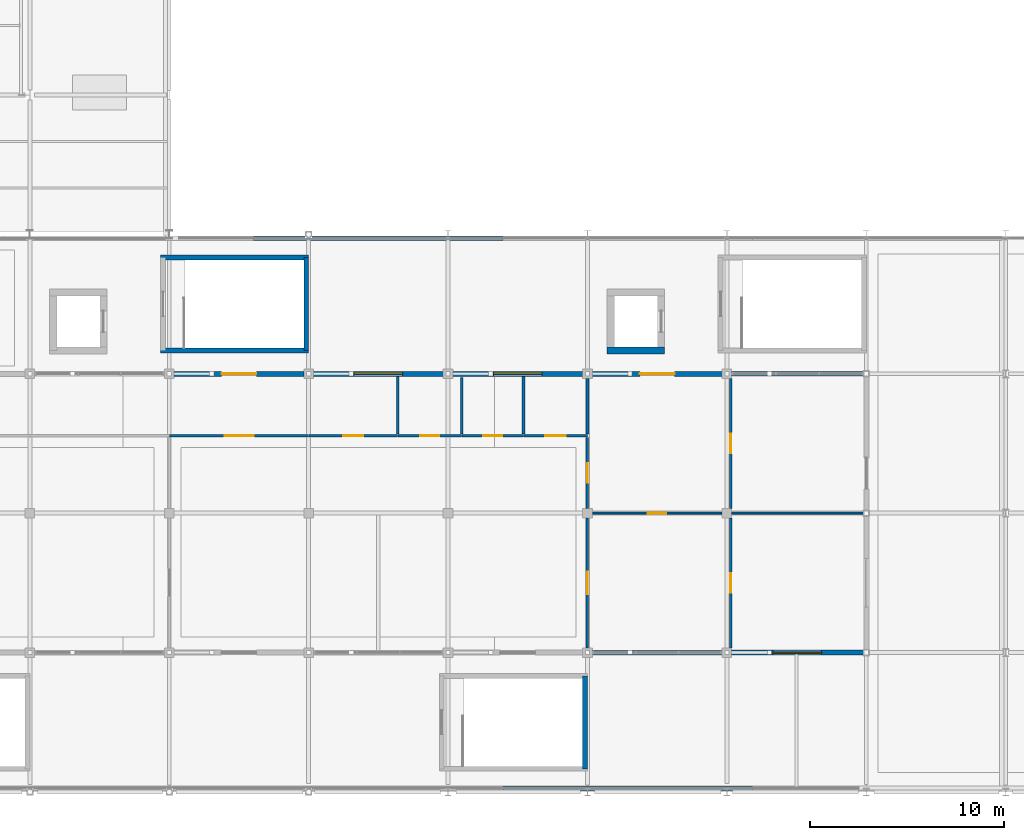
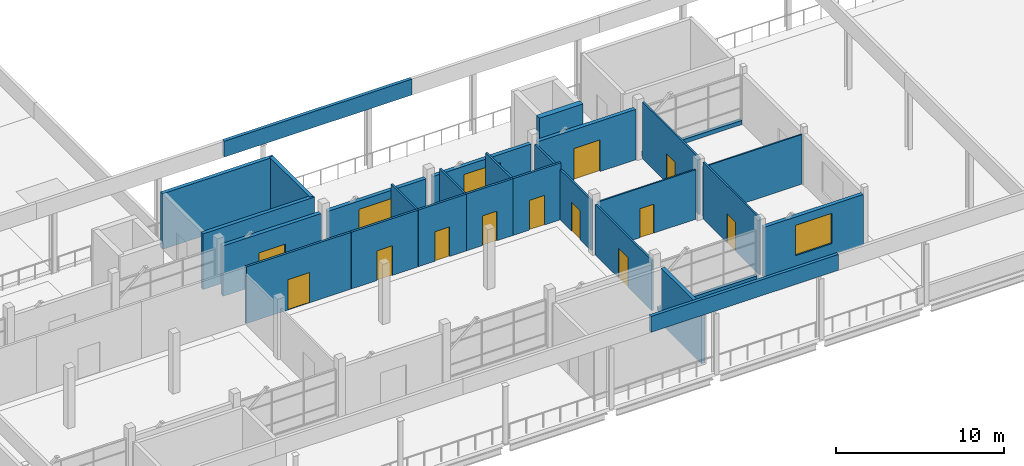
# One storey, part 24 of 32: 29 walls, 12 doors, 3 windows, 15 openings.
"""IFC4 building model written with IfcOpenShell, lengths in metres."""

from ifc_helpers import new_model, si_unit, direction, frame, frame_2d, origin, place, context, subcontext, project, spatial, rectangle, extrude, material, layer, layer_set, type_object, element, fill, save


model = new_model("IFC4")

# Units and contexts
model_context = context("Model", 3, precision=1e-05, world=origin(), true_north=direction((0.0, 1.0)))
body_context = subcontext(model_context, "Body", "Model", "MODEL_VIEW")
ifc_project = project(units=[si_unit("LENGTHUNIT", "METRE"), si_unit("AREAUNIT", "SQUARE_METRE"), si_unit("VOLUMEUNIT", "CUBIC_METRE"), si_unit("PLANEANGLEUNIT", "RADIAN"), si_unit("MASSUNIT", "GRAM", prefix="KILO")], contexts=[model_context])

# Site, building, storey
site_placement = place(None, origin())
site = spatial("IfcSite", under=ifc_project, at=site_placement, CompositionType="ELEMENT")
building_placement = place(site_placement, origin())
building = spatial("IfcBuilding", under=site, at=building_placement, Name="Sardonyx Promenade Sports Hall", CompositionType="ELEMENT")
storey_placement = place(building_placement, frame((0.0, 0.0, 20.39990234375)))
storey = spatial("IfcBuildingStorey", under=building, at=storey_placement, Name="L04", CompositionType="ELEMENT", Elevation=20.39990234375)

# Wall
ifc_material_1 = material(Name="Concrete C40/50", Category="concrete")
ifc_layer_1 = layer(ifc_material_1, 0.3798828125)
ifc_layer_set_1 = layer_set([ifc_layer_1], Name="Wall_Core_Shear_380")
wall_type_1 = type_object("IfcWallType", Name="Wall_Core_Shear_380", PredefinedType="SHEAR", material=ifc_layer_set_1)
wall_1_placement = place(storey_placement, frame((54.389892578125, 22.800048828125, 0.0), z_axis=(0.0, 0.0, 1.0), x_axis=(-1.0, 0.0, 0.0)))
element("IfcWall", 1, at=wall_1_placement, inside=storey, type_object=wall_type_1, Name="Lift shaft wall LF3 L04 S", PredefinedType="SHEAR", context=body_context, shape_type="SweptSolid", body=[
    extrude(rectangle(XDim=2.97998046875, YDim=0.3798828125, at=frame_2d((1.489990234375, 0.0))), origin(), (0.0, 0.0, 1.0), 4.400146484375),
])

# Wall, opening, door
ifc_material_2 = material(Name="Masonry CMU 15 MPa", Category="masonry")
ifc_layer_2 = layer(ifc_material_2, 0.260009765625)
ifc_layer_set_2 = layer_set([ifc_layer_2], Name="Wall_Ext_Pavilion_260")
wall_type_2 = type_object("IfcWallType", Name="Wall_Ext_Pavilion_260", PredefinedType="SOLIDWALL", material=ifc_layer_set_2)
wall_2_placement = place(storey_placement, frame((29.034912109375, 21.60009765625, 0.0), z_axis=(0.0, 0.0, 1.0), x_axis=(1.0, 0.0, 0.0)))
wall_2 = element("IfcWall", 2, at=wall_2_placement, inside=storey, type_object=wall_type_2, Name="Exterior wall EW03 L04 #268", PredefinedType="SOLIDWALL", context=body_context, shape_type="SweptSolid", body=[
    extrude(rectangle(XDim=6.72998046875, YDim=0.260009765625, at=frame_2d((3.364990234375, 0.0))), origin(), (0.0, 0.0, 1.0), 3.655029296875),
])
opening_1_placement = place(wall_2_placement, frame((2.465087890625, 0.0, 0.0)))
opening_1 = element("IfcOpeningElement", 3, at=opening_1_placement, cuts=wall_2, Name="Opening ED01", PredefinedType="OPENING", context=body_context, shape_type="SweptSolid", body=[
    extrude(rectangle(XDim=1.800048828125, YDim=2.300048828125, at=frame_2d((0.89990234375, 1.14990234375))), frame((0.0, 0.14, 0.0), z_axis=(0.0, -1.0, 0.0), x_axis=(1.0, 0.0, 0.0)), (0.0, 0.0, 1.0), 0.28),
])
ifc_material_3 = material(Name="Thermally broken anodised aluminium glazed door", Category="aluminium")
door_type_1 = type_object("IfcDoorType", Name="Door_Ext_Track_180x230", OperationType="NOTDEFINED", PredefinedType="DOOR", material=ifc_material_3)
door_1_placement = place(opening_1_placement, origin())
door_1 = element("IfcDoor", 4, at=door_1_placement, inside=storey, type_object=door_type_1, Name="Exterior exit door TD01", OperationType="DOUBLE_DOOR_SINGLE_SWING", OverallHeight=2.300048828125, OverallWidth=1.800048828125, PredefinedType="DOOR", context=body_context, shape_type="SweptSolid", body=[
    extrude(rectangle(XDim=1.800048828125, YDim=2.300048828125, at=frame_2d((0.89990234375, 1.14990234375))), frame((0.0, 0.02490234375, 0.0), z_axis=(0.0, -1.0, 0.0), x_axis=(1.0, 0.0, 0.0)), (0.0, 0.0, 1.0), 0.050048828125),
])
fill(opening_1, door_1)

# Wall, opening, window
wall_3_placement = place(storey_placement, frame((36.235107421875, 21.60009765625, 0.0), z_axis=(0.0, 0.0, 1.0), x_axis=(1.0, 0.0, 0.0)))
wall_3 = element("IfcWall", 5, at=wall_3_placement, inside=storey, type_object=wall_type_2, Name="Exterior wall EW03 L04 #269", PredefinedType="SOLIDWALL", context=body_context, shape_type="SweptSolid", body=[
    extrude(rectangle(XDim=6.72998046875, YDim=0.260009765625, at=frame_2d((3.364990234375, 0.0))), origin(), (0.0, 0.0, 1.0), 3.655029296875),
])
opening_2_placement = place(wall_3_placement, frame((2.114990234375, 0.0, 0.85009765625)))
opening_2 = element("IfcOpeningElement", 6, at=opening_2_placement, cuts=wall_3, Name="Opening W04", PredefinedType="OPENING", context=body_context, shape_type="SweptSolid", body=[
    extrude(rectangle(XDim=2.5, YDim=2.199951171875, at=frame_2d((1.25, 1.10009765625))), frame((0.0, 0.14, 0.0), z_axis=(0.0, -1.0, 0.0), x_axis=(1.0, 0.0, 0.0)), (0.0, 0.0, 1.0), 0.28),
])
ifc_material_4 = material(Name="Double-glazed solar low-E aluminium window", Category="aluminium")
window_type = type_object("IfcWindowType", Name="Win_Pavilion_250x220", PartitioningType="DOUBLE_PANEL_VERTICAL", PredefinedType="WINDOW", material=ifc_material_4)
window_1_placement = place(opening_2_placement, origin())
window_1 = element("IfcWindow", 7, at=window_1_placement, inside=storey, type_object=window_type, Name="Facade window W04 L04 #104", OverallHeight=2.199951171875, OverallWidth=2.5, PartitioningType="SINGLE_PANEL", PredefinedType="WINDOW", context=body_context, shape_type="SweptSolid", body=[
    extrude(rectangle(XDim=2.5, YDim=2.199951171875, at=frame_2d((1.25, 1.10009765625))), frame((0.0, 0.030029296875, 0.0), z_axis=(0.0, -1.0, 0.0), x_axis=(1.0, 0.0, 0.0)), (0.0, 0.0, 1.0), 0.06005859375),
])
fill(opening_2, window_1)

wall_4_placement = place(storey_placement, frame((43.43505859375, 21.60009765625, 0.0), z_axis=(0.0, 0.0, 1.0), x_axis=(1.0, 0.0, 0.0)))
wall_4 = element("IfcWall", 8, at=wall_4_placement, inside=storey, type_object=wall_type_2, Name="Exterior wall EW03 L04 #270", PredefinedType="SOLIDWALL", context=body_context, shape_type="SweptSolid", body=[
    extrude(rectangle(XDim=6.72998046875, YDim=0.260009765625, at=frame_2d((3.364990234375, 0.0))), origin(), (0.0, 0.0, 1.0), 3.655029296875),
])
opening_3_placement = place(wall_4_placement, frame((2.114990234375, 0.0, 0.85009765625)))
opening_3 = element("IfcOpeningElement", 9, at=opening_3_placement, cuts=wall_4, Name="Opening W04", PredefinedType="OPENING", context=body_context, shape_type="SweptSolid", body=[
    extrude(rectangle(XDim=2.5, YDim=2.199951171875, at=frame_2d((1.25, 1.10009765625))), frame((0.0, 0.14, 0.0), z_axis=(0.0, -1.0, 0.0), x_axis=(1.0, 0.0, 0.0)), (0.0, 0.0, 1.0), 0.28),
])
window_2_placement = place(opening_3_placement, origin())
window_2 = element("IfcWindow", 10, at=window_2_placement, inside=storey, type_object=window_type, Name="Facade window W04 L04 #105", OverallHeight=2.199951171875, OverallWidth=2.5, PartitioningType="SINGLE_PANEL", PredefinedType="WINDOW", context=body_context, shape_type="SweptSolid", body=[
    extrude(rectangle(XDim=2.5, YDim=2.199951171875, at=frame_2d((1.25, 1.10009765625))), frame((0.0, 0.030029296875, 0.0), z_axis=(0.0, -1.0, 0.0), x_axis=(1.0, 0.0, 0.0)), (0.0, 0.0, 1.0), 0.06005859375),
])
fill(opening_3, window_2)

# Wall, opening, door
wall_5_placement = place(storey_placement, frame((50.635009765625, 21.60009765625, 0.0), z_axis=(0.0, 0.0, 1.0), x_axis=(1.0, 0.0, 0.0)))
wall_5 = element("IfcWall", 11, at=wall_5_placement, inside=storey, type_object=wall_type_2, Name="Exterior wall EW03 L04 #271", PredefinedType="SOLIDWALL", context=body_context, shape_type="SweptSolid", body=[
    extrude(rectangle(XDim=6.72998046875, YDim=0.260009765625, at=frame_2d((3.364990234375, 0.0))), origin(), (0.0, 0.0, 1.0), 3.655029296875),
])
opening_4_placement = place(wall_5_placement, frame((2.465087890625, 0.0, 0.0)))
opening_4 = element("IfcOpeningElement", 12, at=opening_4_placement, cuts=wall_5, Name="Opening ED01", PredefinedType="OPENING", context=body_context, shape_type="SweptSolid", body=[
    extrude(rectangle(XDim=1.800048828125, YDim=2.300048828125, at=frame_2d((0.89990234375, 1.14990234375))), frame((0.0, 0.14, 0.0), z_axis=(0.0, -1.0, 0.0), x_axis=(1.0, 0.0, 0.0)), (0.0, 0.0, 1.0), 0.28),
])
door_2_placement = place(opening_4_placement, origin())
door_2 = element("IfcDoor", 13, at=door_2_placement, inside=storey, type_object=door_type_1, Name="Exterior exit door TD10", OperationType="DOUBLE_DOOR_SINGLE_SWING", OverallHeight=2.300048828125, OverallWidth=1.800048828125, PredefinedType="DOOR", context=body_context, shape_type="SweptSolid", body=[
    extrude(rectangle(XDim=1.800048828125, YDim=2.300048828125, at=frame_2d((0.89990234375, 1.14990234375))), frame((0.0, 0.02490234375, 0.0), z_axis=(0.0, -1.0, 0.0), x_axis=(1.0, 0.0, 0.0)), (0.0, 0.0, 1.0), 0.050048828125),
])
fill(opening_4, door_2)

# Wall, opening, window
wall_6_placement = place(storey_placement, frame((64.651611328125, 7.199951171875, 0.0), z_axis=(0.0, 0.0, 1.0), x_axis=(-1.0, 0.0, 0.0)))
wall_6 = element("IfcWall", 14, at=wall_6_placement, inside=storey, type_object=wall_type_2, Name="Exterior wall EW03 L04 #273", PredefinedType="SOLIDWALL", context=body_context, shape_type="SweptSolid", body=[
    extrude(rectangle(XDim=6.816650390625, YDim=0.260009765625, at=frame_2d((3.408203125, 0.0))), origin(), (0.0, 0.0, 1.0), 3.655029296875),
])
opening_5_placement = place(wall_6_placement, frame((2.158203125, 0.0, 0.85009765625)))
opening_5 = element("IfcOpeningElement", 15, at=opening_5_placement, cuts=wall_6, Name="Opening W04", PredefinedType="OPENING", context=body_context, shape_type="SweptSolid", body=[
    extrude(rectangle(XDim=2.5, YDim=2.199951171875, at=frame_2d((1.25, 1.10009765625))), frame((0.0, 0.14, 0.0), z_axis=(0.0, -1.0, 0.0), x_axis=(1.0, 0.0, 0.0)), (0.0, 0.0, 1.0), 0.28),
])
window_3_placement = place(opening_5_placement, origin())
window_3 = element("IfcWindow", 16, at=window_3_placement, inside=storey, type_object=window_type, Name="Facade window W04 L04 #106", OverallHeight=2.199951171875, OverallWidth=2.5, PartitioningType="SINGLE_PANEL", PredefinedType="WINDOW", context=body_context, shape_type="SweptSolid", body=[
    extrude(rectangle(XDim=2.5, YDim=2.199951171875, at=frame_2d((1.25, 1.10009765625))), frame((0.0, 0.030029296875, 0.0), z_axis=(0.0, -1.0, 0.0), x_axis=(1.0, 0.0, 0.0)), (0.0, 0.0, 1.0), 0.06005859375),
])
fill(opening_5, window_3)

# Walls
ifc_material_5 = material(Name="Masonry CMU 15 MPa", Category="masonry")
ifc_layer_3 = layer(ifc_material_5, 0.239990234375)
ifc_layer_set_3 = layer_set([ifc_layer_3], Name="Wall_Ext_Spandrel_240")
wall_type_3 = type_object("IfcWallType", Name="Wall_Ext_Spandrel_240", PredefinedType="SOLIDWALL", material=ifc_layer_set_3)
wall_7_placement = place(storey_placement, frame((57.8349609375, 21.60009765625, 0.0), z_axis=(0.0, 0.0, 1.0), x_axis=(1.0, 0.0, 0.0)))
element("IfcWall", 17, at=wall_7_placement, inside=storey, type_object=wall_type_3, Name="Curtain-wall sill spandrel L04 #272", PredefinedType="SOLIDWALL", context=body_context, shape_type="SweptSolid", body=[
    extrude(rectangle(XDim=6.816650390625, YDim=0.239990234375, at=frame_2d((3.408203125, 0.0))), origin(), (0.0, 0.0, 1.0), 0.300048828125),
])
wall_8_placement = place(storey_placement, frame((57.364990234375, 7.199951171875, 0.0), z_axis=(0.0, 0.0, 1.0), x_axis=(-1.0, 0.0, 0.0)))
element("IfcWall", 18, at=wall_8_placement, inside=storey, type_object=wall_type_3, Name="Curtain-wall sill spandrel L04 #274", PredefinedType="SOLIDWALL", context=body_context, shape_type="SweptSolid", body=[
    extrude(rectangle(XDim=6.72998046875, YDim=0.239990234375, at=frame_2d((3.364990234375, 0.0))), origin(), (0.0, 0.0, 1.0), 0.300048828125),
])
ifc_material_6 = material(Name="Concrete C40/50", Category="concrete")
ifc_layer_4 = layer(ifc_material_6, 0.219970703125)
ifc_layer_set_4 = layer_set([ifc_layer_4], Name="Wall_Parapet_Roof_220")
wall_type_4 = type_object("IfcWallType", Name="Wall_Parapet_Roof_220", PredefinedType="PARAPET", material=ifc_layer_set_4)
wall_9_placement = place(storey_placement, frame((46.0400390625, 0.199951171875, 4.400146484375), z_axis=(0.0, 0.0, 1.0), x_axis=(1.0, 0.0, 0.0)))
element("IfcWall", 19, at=wall_9_placement, inside=storey, type_object=wall_type_4, Name="Roof parapet PP02 L04 #62", PredefinedType="PARAPET", context=body_context, shape_type="SweptSolid", body=[
    extrude(rectangle(XDim=12.8798828125, YDim=0.219970703125, at=frame_2d((6.43994140625, 0.0))), origin(), (0.0, 0.0, 1.0), 1.14990234375),
])
wall_10_placement = place(storey_placement, frame((46.0400390625, 28.60009765625, 4.400146484375), z_axis=(0.0, 0.0, 1.0), x_axis=(-1.0, 0.0, 0.0)))
element("IfcWall", 20, at=wall_10_placement, inside=storey, type_object=wall_type_4, Name="Roof parapet PP02 L04 #68", PredefinedType="PARAPET", context=body_context, shape_type="SweptSolid", body=[
    extrude(rectangle(XDim=12.880126953125, YDim=0.219970703125, at=frame_2d((6.43994140625, 0.0))), origin(), (0.0, 0.0, 1.0), 1.14990234375),
])

# Wall, opening, door
ifc_material_7 = material(Name="Hygienic clinical stud partition", Category="gypsum")
ifc_layer_5 = layer(ifc_material_7, 0.1201171875)
ifc_layer_set_5 = layer_set([ifc_layer_5], Name="Wall_Part_Clinic_120")
wall_type_5 = type_object("IfcWallType", Name="Wall_Part_Clinic_120", PredefinedType="PARTITIONING", material=ifc_layer_set_5)
wall_11_placement = place(storey_placement, frame((57.800048828125, 7.449951171875, 0.0), z_axis=(0.0, 0.0, 1.0), x_axis=(0.0, 1.0, 0.0)))
wall_11 = element("IfcWall", 21, at=wall_11_placement, inside=storey, type_object=wall_type_5, Name="Interior partition PW02 L04 #522", PredefinedType="PARTITIONING", context=body_context, shape_type="SweptSolid", body=[
    extrude(rectangle(XDim=6.699951171875, YDim=0.1201171875, at=frame_2d((3.35009765625, 0.0))), origin(), (0.0, 0.0, 1.0), 4.1201171875),
])
opening_6_placement = place(wall_11_placement, frame((2.85009765625, 0.0, 0.0)))
opening_6 = element("IfcOpeningElement", 22, at=opening_6_placement, cuts=wall_11, Name="Opening ID05", PredefinedType="OPENING", context=body_context, shape_type="SweptSolid", body=[
    extrude(rectangle(XDim=1.0, YDim=2.10009765625, at=frame_2d((0.5, 1.050048828125))), frame((0.0, 0.07, 0.0), z_axis=(0.0, -1.0, 0.0), x_axis=(1.0, 0.0, 0.0)), (0.0, 0.0, 1.0), 0.14),
])
ifc_material_8 = material(Name="Acoustic laminate clinic door", Category="wood")
door_type_2 = type_object("IfcDoorType", Name="Door_Suite_100x210", OperationType="NOTDEFINED", PredefinedType="DOOR", material=ifc_material_8)
door_3_placement = place(opening_6_placement, origin())
door_3 = element("IfcDoor", 23, at=door_3_placement, inside=storey, type_object=door_type_2, Name="Interior door D04-163", OperationType="SINGLE_SWING_LEFT", OverallHeight=2.10009765625, OverallWidth=1.0, PredefinedType="DOOR", context=body_context, shape_type="SweptSolid", body=[
    extrude(rectangle(XDim=1.0, YDim=2.10009765625, at=frame_2d((0.5, 1.050048828125))), frame((0.0, 0.02490234375, 0.0), z_axis=(0.0, -1.0, 0.0), x_axis=(1.0, 0.0, 0.0)), (0.0, 0.0, 1.0), 0.050048828125),
])
fill(opening_6, door_3)

wall_12_placement = place(storey_placement, frame((57.800048828125, 14.64990234375, 0.0), z_axis=(0.0, 0.0, 1.0), x_axis=(0.0, 1.0, 0.0)))
wall_12 = element("IfcWall", 24, at=wall_12_placement, inside=storey, type_object=wall_type_5, Name="Interior partition PW02 L04 #523", PredefinedType="PARTITIONING", context=body_context, shape_type="SweptSolid", body=[
    extrude(rectangle(XDim=6.7001953125, YDim=0.1201171875, at=frame_2d((3.35009765625, 0.0))), origin(), (0.0, 0.0, 1.0), 4.1201171875),
])
opening_7_placement = place(wall_12_placement, frame((2.85009765625, 0.0, 0.0)))
opening_7 = element("IfcOpeningElement", 25, at=opening_7_placement, cuts=wall_12, Name="Opening ID05", PredefinedType="OPENING", context=body_context, shape_type="SweptSolid", body=[
    extrude(rectangle(XDim=1.0, YDim=2.10009765625, at=frame_2d((0.5, 1.050048828125))), frame((0.0, 0.07, 0.0), z_axis=(0.0, -1.0, 0.0), x_axis=(1.0, 0.0, 0.0)), (0.0, 0.0, 1.0), 0.14),
])
door_4_placement = place(opening_7_placement, origin())
door_4 = element("IfcDoor", 26, at=door_4_placement, inside=storey, type_object=door_type_2, Name="Interior door D04-164", OperationType="SINGLE_SWING_RIGHT", OverallHeight=2.10009765625, OverallWidth=1.0, PredefinedType="DOOR", context=body_context, shape_type="SweptSolid", body=[
    extrude(rectangle(XDim=1.0, YDim=2.10009765625, at=frame_2d((0.5, 1.050048828125))), frame((0.0, 0.02490234375, 0.0), z_axis=(0.0, -1.0, 0.0), x_axis=(1.0, 0.0, 0.0)), (0.0, 0.0, 1.0), 0.050048828125),
])
fill(opening_7, door_4)

ifc_material_9 = material(Name="Fire-rated stud gypsum partition", Category="gypsum")
ifc_layer_6 = layer(ifc_material_9, 0.14990234375)
ifc_layer_set_6 = layer_set([ifc_layer_6], Name="Wall_Part_Corridor_150")
wall_type_6 = type_object("IfcWallType", Name="Wall_Part_Corridor_150", PredefinedType="PARTITIONING", material=ifc_layer_set_6)
wall_13_placement = place(storey_placement, frame((28.81005859375, 18.39990234375, 0.0), z_axis=(0.0, 0.0, 1.0), x_axis=(1.0, 0.0, 0.0)))
wall_13 = element("IfcWall", 27, at=wall_13_placement, inside=storey, type_object=wall_type_6, Name="Interior partition PW04 L04 #509", PredefinedType="PARTITIONING", context=body_context, shape_type="SweptSolid", body=[
    extrude(rectangle(XDim=7.18994140625, YDim=0.14990234375, at=frame_2d((3.594970703125, 0.0))), origin(), (0.0, 0.0, 1.0), 4.1201171875),
])
opening_8_placement = place(wall_13_placement, frame((2.844970703125, 0.0, 0.0)))
opening_8 = element("IfcOpeningElement", 28, at=opening_8_placement, cuts=wall_13, Name="Opening ID10", PredefinedType="OPENING", context=body_context, shape_type="SweptSolid", body=[
    extrude(rectangle(XDim=1.5, YDim=2.199951171875, at=frame_2d((0.75, 1.10009765625))), frame((0.0, 0.085, 0.0), z_axis=(0.0, -1.0, 0.0), x_axis=(1.0, 0.0, 0.0)), (0.0, 0.0, 1.0), 0.17),
])
ifc_material_10 = material(Name="Double studio entrance fire door FD30S", Category="wood")
door_type_3 = type_object("IfcDoorType", Name="Door_Corr_FD30_150x220", OperationType="NOTDEFINED", PredefinedType="DOOR", material=ifc_material_10)
door_5_placement = place(opening_8_placement, origin())
door_5 = element("IfcDoor", 29, at=door_5_placement, inside=storey, type_object=door_type_3, Name="Interior door D04-155", OperationType="DOUBLE_DOOR_SINGLE_SWING", OverallHeight=2.199951171875, OverallWidth=1.5, PredefinedType="DOOR", context=body_context, shape_type="SweptSolid", body=[
    extrude(rectangle(XDim=1.5, YDim=2.199951171875, at=frame_2d((0.75, 1.10009765625))), frame((0.0, 0.02490234375, 0.0), z_axis=(0.0, -1.0, 0.0), x_axis=(1.0, 0.0, 0.0)), (0.0, 0.0, 1.0), 0.050048828125),
])
fill(opening_8, door_5)

wall_14_placement = place(storey_placement, frame((36.010009765625, 18.39990234375, 0.0), z_axis=(0.0, 0.0, 1.0), x_axis=(1.0, 0.0, 0.0)))
wall_14 = element("IfcWall", 30, at=wall_14_placement, inside=storey, type_object=wall_type_6, Name="Interior partition PW04 L04 #510", PredefinedType="PARTITIONING", context=body_context, shape_type="SweptSolid", body=[
    extrude(rectangle(XDim=4.590087890625, YDim=0.14990234375, at=frame_2d((2.294921875, 0.0))), origin(), (0.0, 0.0, 1.0), 4.1201171875),
])
opening_9_placement = place(wall_14_placement, frame((1.77001953125, 0.0, 0.0)))
opening_9 = element("IfcOpeningElement", 31, at=opening_9_placement, cuts=wall_14, Name="Opening ID07", PredefinedType="OPENING", context=body_context, shape_type="SweptSolid", body=[
    extrude(rectangle(XDim=1.050048828125, YDim=2.14990234375, at=frame_2d((0.52490234375, 1.074951171875))), frame((0.0, 0.085, 0.0), z_axis=(0.0, -1.0, 0.0), x_axis=(1.0, 0.0, 0.0)), (0.0, 0.0, 1.0), 0.17),
])
ifc_material_11 = material(Name="Hardwood accessible fire door FD30S", Category="wood")
door_type_4 = type_object("IfcDoorType", Name="Door_Corr_FD30_105x215", OperationType="NOTDEFINED", PredefinedType="DOOR", material=ifc_material_11)
door_6_placement = place(opening_9_placement, origin())
door_6 = element("IfcDoor", 32, at=door_6_placement, inside=storey, type_object=door_type_4, Name="Interior door D04-156", OperationType="SINGLE_SWING_RIGHT", OverallHeight=2.14990234375, OverallWidth=1.050048828125, PredefinedType="DOOR", context=body_context, shape_type="SweptSolid", body=[
    extrude(rectangle(XDim=1.050048828125, YDim=2.14990234375, at=frame_2d((0.52490234375, 1.074951171875))), frame((0.0, 0.02490234375, 0.0), z_axis=(0.0, -1.0, 0.0), x_axis=(1.0, 0.0, 0.0)), (0.0, 0.0, 1.0), 0.050048828125),
])
fill(opening_9, door_6)

wall_15_placement = place(storey_placement, frame((40.610107421875, 18.39990234375, 0.0), z_axis=(0.0, 0.0, 1.0), x_axis=(1.0, 0.0, 0.0)))
wall_15 = element("IfcWall", 33, at=wall_15_placement, inside=storey, type_object=wall_type_6, Name="Interior partition PW04 L04 #511", PredefinedType="PARTITIONING", context=body_context, shape_type="SweptSolid", body=[
    extrude(rectangle(XDim=3.289794921875, YDim=0.14990234375, at=frame_2d((1.64501953125, 0.0))), origin(), (0.0, 0.0, 1.0), 4.1201171875),
])
opening_10_placement = place(wall_15_placement, frame((1.14501953125, 0.0, 0.0)))
opening_10 = element("IfcOpeningElement", 34, at=opening_10_placement, cuts=wall_15, Name="Opening ID14", PredefinedType="OPENING", context=body_context, shape_type="SweptSolid", body=[
    extrude(rectangle(XDim=1.0, YDim=2.14990234375, at=frame_2d((0.5, 1.074951171875))), frame((0.0, 0.085, 0.0), z_axis=(0.0, -1.0, 0.0), x_axis=(1.0, 0.0, 0.0)), (0.0, 0.0, 1.0), 0.17),
])
ifc_material_12 = material(Name="Hardwood corridor fire door FD30S", Category="wood")
door_type_5 = type_object("IfcDoorType", Name="Door_Corr_FD30_100x215", OperationType="NOTDEFINED", PredefinedType="DOOR", material=ifc_material_12)
door_7_placement = place(opening_10_placement, origin())
door_7 = element("IfcDoor", 35, at=door_7_placement, inside=storey, type_object=door_type_5, Name="Interior door D04-157", OperationType="SINGLE_SWING_LEFT", OverallHeight=2.14990234375, OverallWidth=1.0, PredefinedType="DOOR", context=body_context, shape_type="SweptSolid", body=[
    extrude(rectangle(XDim=1.0, YDim=2.14990234375, at=frame_2d((0.5, 1.074951171875))), frame((0.0, 0.02490234375, 0.0), z_axis=(0.0, -1.0, 0.0), x_axis=(1.0, 0.0, 0.0)), (0.0, 0.0, 1.0), 0.050048828125),
])
fill(opening_10, door_7)

wall_16_placement = place(storey_placement, frame((43.909912109375, 18.39990234375, 0.0), z_axis=(0.0, 0.0, 1.0), x_axis=(1.0, 0.0, 0.0)))
wall_16 = element("IfcWall", 36, at=wall_16_placement, inside=storey, type_object=wall_type_6, Name="Interior partition PW04 L04 #512", PredefinedType="PARTITIONING", context=body_context, shape_type="SweptSolid", body=[
    extrude(rectangle(XDim=3.190185546875, YDim=0.14990234375, at=frame_2d((1.59521484375, 0.0))), origin(), (0.0, 0.0, 1.0), 4.1201171875),
])
opening_11_placement = place(wall_16_placement, frame((1.094970703125, 0.0, 0.0)))
opening_11 = element("IfcOpeningElement", 37, at=opening_11_placement, cuts=wall_16, Name="Opening ID14", PredefinedType="OPENING", context=body_context, shape_type="SweptSolid", body=[
    extrude(rectangle(XDim=1.0, YDim=2.14990234375, at=frame_2d((0.5, 1.074951171875))), frame((0.0, 0.085, 0.0), z_axis=(0.0, -1.0, 0.0), x_axis=(1.0, 0.0, 0.0)), (0.0, 0.0, 1.0), 0.17),
])
door_8_placement = place(opening_11_placement, origin())
door_8 = element("IfcDoor", 38, at=door_8_placement, inside=storey, type_object=door_type_5, Name="Interior door D04-158", OperationType="SINGLE_SWING_RIGHT", OverallHeight=2.14990234375, OverallWidth=1.0, PredefinedType="DOOR", context=body_context, shape_type="SweptSolid", body=[
    extrude(rectangle(XDim=1.0, YDim=2.14990234375, at=frame_2d((0.5, 1.074951171875))), frame((0.0, 0.02490234375, 0.0), z_axis=(0.0, -1.0, 0.0), x_axis=(1.0, 0.0, 0.0)), (0.0, 0.0, 1.0), 0.050048828125),
])
fill(opening_11, door_8)

wall_17_placement = place(storey_placement, frame((47.110107421875, 18.39990234375, 0.0), z_axis=(0.0, 0.0, 1.0), x_axis=(1.0, 0.0, 0.0)))
wall_17 = element("IfcWall", 39, at=wall_17_placement, inside=storey, type_object=wall_type_6, Name="Interior partition PW04 L04 #513", PredefinedType="PARTITIONING", context=body_context, shape_type="SweptSolid", body=[
    extrude(rectangle(XDim=3.289794921875, YDim=0.14990234375, at=frame_2d((1.64501953125, 0.0))), origin(), (0.0, 0.0, 1.0), 4.1201171875),
])
opening_12_placement = place(wall_17_placement, frame((1.1201171875, 0.0, 0.0)))
opening_12 = element("IfcOpeningElement", 40, at=opening_12_placement, cuts=wall_17, Name="Opening ID07", PredefinedType="OPENING", context=body_context, shape_type="SweptSolid", body=[
    extrude(rectangle(XDim=1.050048828125, YDim=2.14990234375, at=frame_2d((0.52490234375, 1.074951171875))), frame((0.0, 0.085, 0.0), z_axis=(0.0, -1.0, 0.0), x_axis=(1.0, 0.0, 0.0)), (0.0, 0.0, 1.0), 0.17),
])
door_9_placement = place(opening_12_placement, origin())
door_9 = element("IfcDoor", 41, at=door_9_placement, inside=storey, type_object=door_type_4, Name="Interior door D04-159", OperationType="SINGLE_SWING_LEFT", OverallHeight=2.14990234375, OverallWidth=1.050048828125, PredefinedType="DOOR", context=body_context, shape_type="SweptSolid", body=[
    extrude(rectangle(XDim=1.050048828125, YDim=2.14990234375, at=frame_2d((0.52490234375, 1.074951171875))), frame((0.0, 0.02490234375, 0.0), z_axis=(0.0, -1.0, 0.0), x_axis=(1.0, 0.0, 0.0)), (0.0, 0.0, 1.0), 0.050048828125),
])
fill(opening_12, door_9)

ifc_material_13 = material(Name="Lightweight steel-stud partition", Category="steel")
ifc_layer_7 = layer(ifc_material_13, 0.10009765625)
ifc_layer_set_7 = layer_set([ifc_layer_7], Name="Wall_Part_Light_100")
wall_type_7 = type_object("IfcWallType", Name="Wall_Part_Light_100", PredefinedType="PARTITIONING", material=ifc_layer_set_7)
wall_18_placement = place(storey_placement, frame((50.64990234375, 14.39990234375, 0.0), z_axis=(0.0, 0.0, 1.0), x_axis=(1.0, 0.0, 0.0)))
wall_18 = element("IfcWall", 42, at=wall_18_placement, inside=storey, type_object=wall_type_7, Name="Interior partition PW01 L04 #524", PredefinedType="PARTITIONING", context=body_context, shape_type="SweptSolid", body=[
    extrude(rectangle(XDim=6.7001953125, YDim=0.10009765625, at=frame_2d((3.35009765625, 0.0))), origin(), (0.0, 0.0, 1.0), 3.60009765625),
])
opening_13_placement = place(wall_18_placement, frame((2.875, 0.0, 0.0)))
opening_13 = element("IfcOpeningElement", 43, at=opening_13_placement, cuts=wall_18, Name="Opening ID08", PredefinedType="OPENING", context=body_context, shape_type="SweptSolid", body=[
    extrude(rectangle(XDim=0.949951171875, YDim=2.10009765625, at=frame_2d((0.47509765625, 1.050048828125))), frame((0.0, 0.06, 0.0), z_axis=(0.0, -1.0, 0.0), x_axis=(1.0, 0.0, 0.0)), (0.0, 0.0, 1.0), 0.12),
])
ifc_material_14 = material(Name="Painted timber accessible suite door", Category="wood")
door_type_6 = type_object("IfcDoorType", Name="Door_Suite_095x210", OperationType="NOTDEFINED", PredefinedType="DOOR", material=ifc_material_14)
door_10_placement = place(opening_13_placement, origin())
door_10 = element("IfcDoor", 44, at=door_10_placement, inside=storey, type_object=door_type_6, Name="Interior door D04-165", OperationType="SINGLE_SWING_LEFT", OverallHeight=2.10009765625, OverallWidth=0.949951171875, PredefinedType="DOOR", context=body_context, shape_type="SweptSolid", body=[
    extrude(rectangle(XDim=0.949951171875, YDim=2.10009765625, at=frame_2d((0.47509765625, 1.050048828125))), frame((0.0, 0.02490234375, 0.0), z_axis=(0.0, -1.0, 0.0), x_axis=(1.0, 0.0, 0.0)), (0.0, 0.0, 1.0), 0.050048828125),
])
fill(opening_13, door_10)

# Wall
wall_19_placement = place(storey_placement, frame((57.85009765625, 14.39990234375, 0.0), z_axis=(0.0, 0.0, 1.0), x_axis=(1.0, 0.0, 0.0)))
element("IfcWall", 45, at=wall_19_placement, inside=storey, type_object=wall_type_7, Name="Interior partition PW01 L04 #525", PredefinedType="PARTITIONING", context=body_context, shape_type="SweptSolid", body=[
    extrude(rectangle(XDim=6.7998046875, YDim=0.10009765625, at=frame_2d((3.39990234375, 0.0))), origin(), (0.0, 0.0, 1.0), 3.60009765625),
])

# Wall, opening, door
ifc_material_15 = material(Name="Acoustic sports stud partition", Category="gypsum")
ifc_layer_8 = layer(ifc_material_15, 0.1298828125)
ifc_layer_set_8 = layer_set([ifc_layer_8], Name="Wall_Part_Studio_130")
wall_type_8 = type_object("IfcWallType", Name="Wall_Part_Studio_130", PredefinedType="PARTITIONING", material=ifc_layer_set_8)
wall_20_placement = place(storey_placement, frame((50.39990234375, 7.449951171875, 0.0), z_axis=(0.0, 0.0, 1.0), x_axis=(0.0, 1.0, 0.0)))
wall_20 = element("IfcWall", 46, at=wall_20_placement, inside=storey, type_object=wall_type_8, Name="Interior partition PW05 L04 #520", PredefinedType="PARTITIONING", context=body_context, shape_type="SweptSolid", body=[
    extrude(rectangle(XDim=6.699951171875, YDim=0.1298828125, at=frame_2d((3.35009765625, 0.0))), origin(), (0.0, 0.0, 1.0), 3.650146484375),
])
opening_14_placement = place(wall_20_placement, frame((2.77490234375, 0.0, 0.0)))
opening_14 = element("IfcOpeningElement", 47, at=opening_14_placement, cuts=wall_20, Name="Opening ID01", PredefinedType="OPENING", context=body_context, shape_type="SweptSolid", body=[
    extrude(rectangle(XDim=1.14990234375, YDim=2.14990234375, at=frame_2d((0.574951171875, 1.074951171875))), frame((0.0, 0.075, 0.0), z_axis=(0.0, -1.0, 0.0), x_axis=(1.0, 0.0, 0.0)), (0.0, 0.0, 1.0), 0.15),
])
ifc_material_16 = material(Name="Wide treatment couch door", Category="wood")
door_type_7 = type_object("IfcDoorType", Name="Door_Suite_115x215", OperationType="NOTDEFINED", PredefinedType="DOOR", material=ifc_material_16)
door_11_placement = place(opening_14_placement, origin())
door_11 = element("IfcDoor", 48, at=door_11_placement, inside=storey, type_object=door_type_7, Name="Interior door D04-161", OperationType="SINGLE_SWING_LEFT", OverallHeight=2.14990234375, OverallWidth=1.14990234375, PredefinedType="DOOR", context=body_context, shape_type="SweptSolid", body=[
    extrude(rectangle(XDim=1.14990234375, YDim=2.14990234375, at=frame_2d((0.574951171875, 1.074951171875))), frame((0.0, 0.02490234375, 0.0), z_axis=(0.0, -1.0, 0.0), x_axis=(1.0, 0.0, 0.0)), (0.0, 0.0, 1.0), 0.050048828125),
])
fill(opening_14, door_11)

wall_21_placement = place(storey_placement, frame((50.39990234375, 14.64990234375, 0.0), z_axis=(0.0, 0.0, 1.0), x_axis=(0.0, 1.0, 0.0)))
wall_21 = element("IfcWall", 49, at=wall_21_placement, inside=storey, type_object=wall_type_8, Name="Interior partition PW05 L04 #521", PredefinedType="PARTITIONING", context=body_context, shape_type="SweptSolid", body=[
    extrude(rectangle(XDim=3.6650390625, YDim=0.1298828125, at=frame_2d((1.83251953125, 0.0))), origin(), (0.0, 0.0, 1.0), 3.650146484375),
])
opening_15_placement = place(wall_21_placement, frame((1.33251953125, 0.0, 0.0)))
opening_15 = element("IfcOpeningElement", 50, at=opening_15_placement, cuts=wall_21, Name="Opening ID05", PredefinedType="OPENING", context=body_context, shape_type="SweptSolid", body=[
    extrude(rectangle(XDim=1.0, YDim=2.10009765625, at=frame_2d((0.5, 1.050048828125))), frame((0.0, 0.075, 0.0), z_axis=(0.0, -1.0, 0.0), x_axis=(1.0, 0.0, 0.0)), (0.0, 0.0, 1.0), 0.15),
])
door_12_placement = place(opening_15_placement, origin())
door_12 = element("IfcDoor", 51, at=door_12_placement, inside=storey, type_object=door_type_2, Name="Interior door D04-162", OperationType="SINGLE_SWING_RIGHT", OverallHeight=2.10009765625, OverallWidth=1.0, PredefinedType="DOOR", context=body_context, shape_type="SweptSolid", body=[
    extrude(rectangle(XDim=1.0, YDim=2.10009765625, at=frame_2d((0.5, 1.050048828125))), frame((0.0, 0.02490234375, 0.0), z_axis=(0.0, -1.0, 0.0), x_axis=(1.0, 0.0, 0.0)), (0.0, 0.0, 1.0), 0.050048828125),
])
fill(opening_15, door_12)

# Walls
ifc_material_17 = material(Name="Moisture-resistant masonry partition", Category="masonry")
ifc_layer_9 = layer(ifc_material_17, 0.139892578125)
ifc_layer_set_9 = layer_set([ifc_layer_9], Name="Wall_Part_Wet_140")
wall_type_9 = type_object("IfcWallType", Name="Wall_Part_Wet_140", PredefinedType="PARTITIONING", material=ifc_layer_set_9)
wall_22_placement = place(storey_placement, frame((40.60009765625, 18.485107421875, 0.0), z_axis=(0.0, 0.0, 1.0), x_axis=(0.0, 1.0, 0.0)))
element("IfcWall", 52, at=wall_22_placement, inside=storey, type_object=wall_type_9, Name="Interior partition PW08 L04 #514", PredefinedType="PARTITIONING", context=body_context, shape_type="SweptSolid", body=[
    extrude(rectangle(XDim=2.974853515625, YDim=0.139892578125, at=frame_2d((1.4873046875, 0.0))), origin(), (0.0, 0.0, 1.0), 4.1201171875),
])
wall_23_placement = place(storey_placement, frame((43.89990234375, 18.485107421875, 0.0), z_axis=(0.0, 0.0, 1.0), x_axis=(0.0, 1.0, 0.0)))
element("IfcWall", 53, at=wall_23_placement, inside=storey, type_object=wall_type_9, Name="Interior partition PW08 L04 #515", PredefinedType="PARTITIONING", context=body_context, shape_type="SweptSolid", body=[
    extrude(rectangle(XDim=2.914794921875, YDim=0.139892578125, at=frame_2d((1.45751953125, 0.0))), origin(), (0.0, 0.0, 1.0), 4.1201171875),
])
wall_24_placement = place(storey_placement, frame((47.10009765625, 18.485107421875, 0.0), z_axis=(0.0, 0.0, 1.0), x_axis=(0.0, 1.0, 0.0)))
element("IfcWall", 54, at=wall_24_placement, inside=storey, type_object=wall_type_9, Name="Interior partition PW08 L04 #516", PredefinedType="PARTITIONING", context=body_context, shape_type="SweptSolid", body=[
    extrude(rectangle(XDim=2.974853515625, YDim=0.139892578125, at=frame_2d((1.4873046875, 0.0))), origin(), (0.0, 0.0, 1.0), 4.1201171875),
])
wall_25_placement = place(storey_placement, frame((50.39990234375, 18.485107421875, 0.0), z_axis=(0.0, 0.0, 1.0), x_axis=(0.0, 1.0, 0.0)))
element("IfcWall", 55, at=wall_25_placement, inside=storey, type_object=wall_type_9, Name="Interior partition PW08 L04 #517", PredefinedType="PARTITIONING", context=body_context, shape_type="SweptSolid", body=[
    extrude(rectangle(XDim=2.864990234375, YDim=0.139892578125, at=frame_2d((1.4326171875, 0.0))), origin(), (0.0, 0.0, 1.0), 3.650146484375),
])
ifc_material_18 = material(Name="Concrete C40/50", Category="concrete")
ifc_layer_10 = layer(ifc_material_18, 0.25)
ifc_layer_set_10 = layer_set([ifc_layer_10], Name="Wall_Stair_Shear_250")
wall_type_10 = type_object("IfcWallType", Name="Wall_Stair_Shear_250", PredefinedType="SHEAR", material=ifc_layer_set_10)
wall_26_placement = place(storey_placement, frame((28.35009765625, 27.60009765625, 0.0), z_axis=(0.0, 0.0, 1.0), x_axis=(1.0, 0.0, 0.0)))
element("IfcWall", 56, at=wall_26_placement, inside=storey, type_object=wall_type_10, Name="Stair shaft wall ST1 L04 N", PredefinedType="SHEAR", context=body_context, shape_type="SweptSolid", body=[
    extrude(rectangle(XDim=7.64990234375, YDim=0.25, at=frame_2d((3.824951171875, 0.0))), origin(), (0.0, 0.0, 1.0), 4.0400390625),
])
wall_27_placement = place(storey_placement, frame((35.875, 27.60009765625, 0.0), z_axis=(0.0, 0.0, 1.0), x_axis=(0.0, -1.0, 0.0)))
element("IfcWall", 57, at=wall_27_placement, inside=storey, type_object=wall_type_10, Name="Stair shaft wall ST1 L04 E", PredefinedType="SHEAR", context=body_context, shape_type="SweptSolid", body=[
    extrude(rectangle(XDim=4.800048828125, YDim=0.25, at=frame_2d((2.39990234375, 0.0))), origin(), (0.0, 0.0, 1.0), 4.0400390625),
])
wall_28_placement = place(storey_placement, frame((36.0, 22.800048828125, 0.0), z_axis=(0.0, 0.0, 1.0), x_axis=(-1.0, 0.0, 0.0)))
element("IfcWall", 58, at=wall_28_placement, inside=storey, type_object=wall_type_10, Name="Stair shaft wall ST1 L04 S", PredefinedType="SHEAR", context=body_context, shape_type="SweptSolid", body=[
    extrude(rectangle(XDim=7.64990234375, YDim=0.25, at=frame_2d((3.824951171875, 0.0))), origin(), (0.0, 0.0, 1.0), 4.0400390625),
])
wall_29_placement = place(storey_placement, frame((50.27490234375, 6.0, 0.0), z_axis=(0.0, 0.0, 1.0), x_axis=(0.0, -1.0, 0.0)))
element("IfcWall", 59, at=wall_29_placement, inside=storey, type_object=wall_type_10, Name="Stair shaft wall ST6 L04 E", PredefinedType="SHEAR", context=body_context, shape_type="SweptSolid", body=[
    extrude(rectangle(XDim=4.800048828125, YDim=0.25, at=frame_2d((2.39990234375, 0.0))), origin(), (0.0, 0.0, 1.0), 4.0400390625),
])

save(model, "model.ifc")
